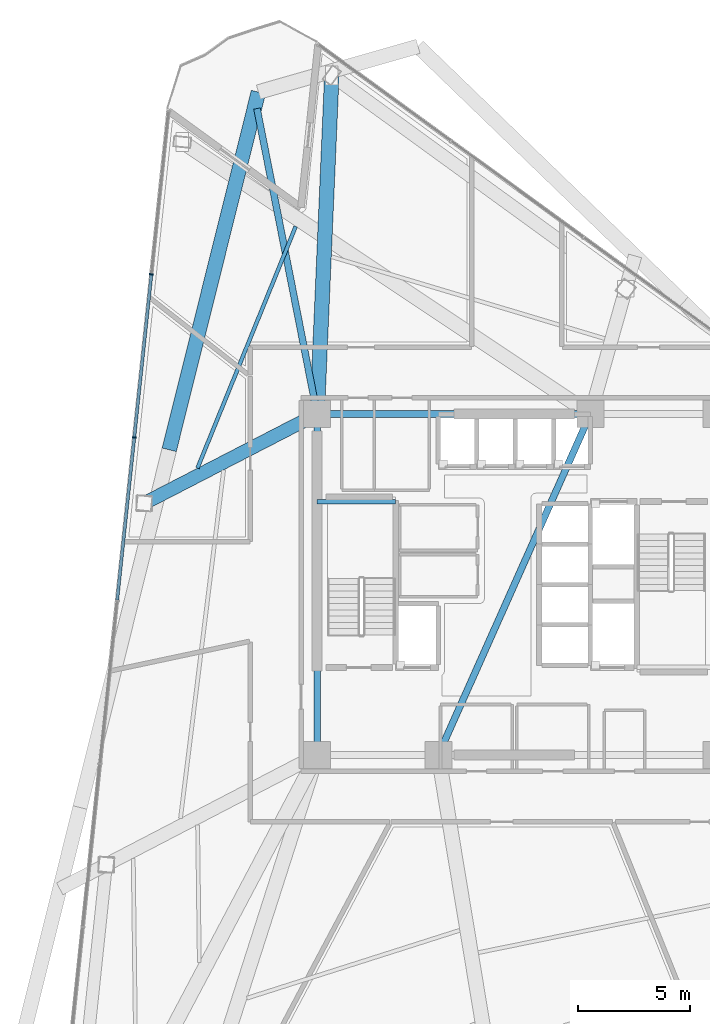
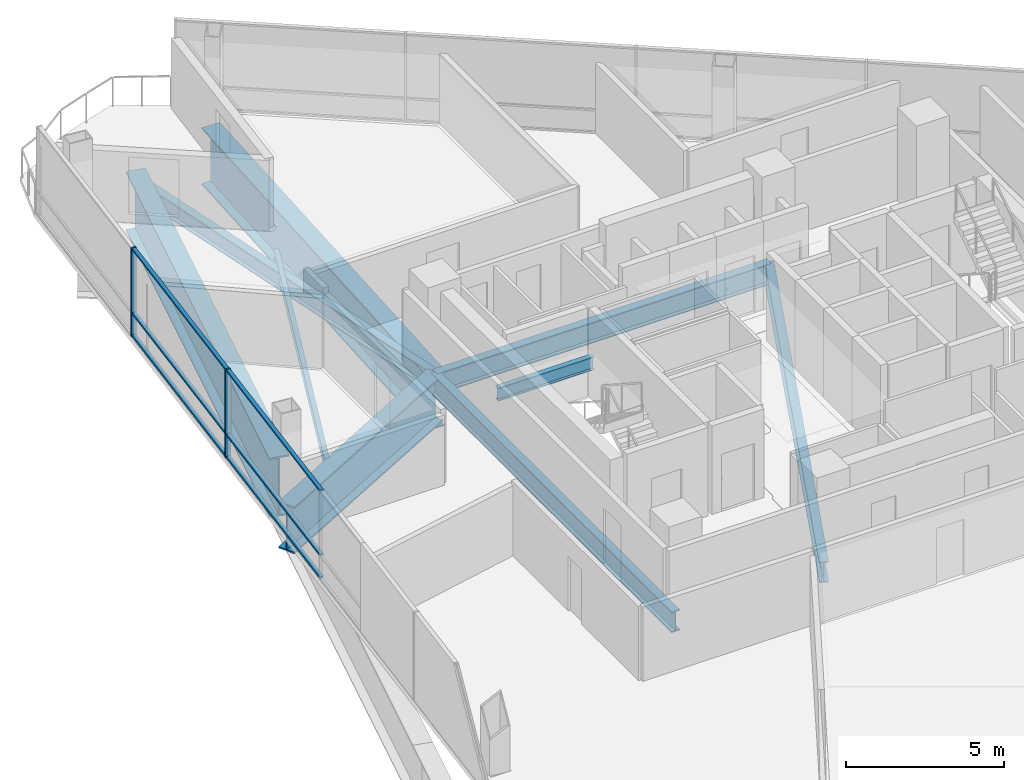
# One storey, part 7 of 17: 9 beams, 8 members, 1 element without a shape of its own.
"""IFC4 building model written with IfcOpenShell, lengths in metres."""

from ifc_helpers import new_model, si_unit, direction, frame, origin, origin_2d, place, context, subcontext, project, spatial, rectangle, i_section, extrude, material, layer, layer_set, material_profile, profile_set, type_object, element, aggregate, save


model = new_model("IFC4")

# Units and contexts
model_context = context("Model", 3, precision=1e-05, world=origin(), true_north=direction((0.0, 1.0)))
body_context = subcontext(model_context, "Body", "Model", "MODEL_VIEW")
ifc_project = project(units=[si_unit("LENGTHUNIT", "METRE"), si_unit("AREAUNIT", "SQUARE_METRE"), si_unit("VOLUMEUNIT", "CUBIC_METRE"), si_unit("PLANEANGLEUNIT", "RADIAN"), si_unit("MASSUNIT", "GRAM", prefix="KILO")], contexts=[model_context])

# Site, building, storey
site_placement = place(None, origin())
site = spatial("IfcSite", under=ifc_project, at=site_placement, CompositionType="ELEMENT")
building_placement = place(site_placement, origin())
building = spatial("IfcBuilding", under=site, at=building_placement, Name="Tharavind Bronze Gate", CompositionType="ELEMENT")
storey_placement = place(building_placement, frame((0.0, 0.0, 112.449951171875)))
storey = spatial("IfcBuildingStorey", under=building, at=storey_placement, Name="L28", CompositionType="ELEMENT", Elevation=112.449951171875)

# Curtain wall, members
ifc_material_1 = material(Name="Anodised Bronze Aluminium", Category="aluminium")
ifc_layer = layer(ifc_material_1, 0.219970703125)
ifc_layer_set = layer_set([ifc_layer], Name="Anodised Bronze Aluminium")
curtain_wall_type = type_object("IfcCurtainWallType", Name="UNITISED CURTAIN WALL LOWER OFFICE", PredefinedType="USERDEFINED", material=ifc_layer_set)
curtain_wall_placement = place(storey_placement, origin())
curtain_wall = element("IfcCurtainWall", 1, at=curtain_wall_placement, inside=storey, type_object=curtain_wall_type, Name="L28 unitised curtain wall lower office CW-L28-S1", ObjectType="UNITISED CURTAIN WALL", PredefinedType="USERDEFINED")
member_type_1 = type_object("IfcMemberType", Name="CURTAIN WALL BRONZE MULLION 65X180", PredefinedType="MULLION", material=ifc_material_1)
member_1_placement = place(storey_placement, frame((-16.2919921875, 13.828369140625, 0.0), z_axis=(0.0, 0.0, 1.0), x_axis=(-0.104526727499, -0.994522077803, 0.0)))
member_1 = element("IfcMember", 2, at=member_1_placement, type_object=member_type_1, Name="CW-L28-S1 mullion 2", PredefinedType="MULLION", context=body_context, shape_type="SweptSolid", body=[
    extrude(rectangle(XDim=0.06494140625, YDim=0.179931640625, at=origin_2d()), origin(), (0.0, 0.0, 1.0), 3.409912109375),
])
member_2_placement = place(storey_placement, frame((-17.056396484375, 6.55517578125, 0.0), z_axis=(0.0, 0.0, 1.0), x_axis=(-0.104526727499, -0.994522077803, 0.0)))
member_2 = element("IfcMember", 3, at=member_2_placement, type_object=member_type_1, Name="CW-L28-S1 mullion 3", PredefinedType="MULLION", context=body_context, shape_type="SweptSolid", body=[
    extrude(rectangle(XDim=0.06494140625, YDim=0.179931640625, at=origin_2d()), origin(), (0.0, 0.0, 1.0), 3.409912109375),
])
member_type_2 = type_object("IfcMemberType", Name="CURTAIN WALL BRONZE TRANSOM 65X140", PredefinedType="USERDEFINED", material=ifc_material_1)
member_3_placement = place(storey_placement, frame((-16.67431640625, 10.19189453125, 0.0), z_axis=(0.0, 0.0, 1.0), x_axis=(-0.104526727499, -0.994522077803, 0.0)))
member_3 = element("IfcMember", 4, at=member_3_placement, type_object=member_type_2, Name="CW-L28-S1 transom TB2", ObjectType="TRANSOM", PredefinedType="USERDEFINED", context=body_context, shape_type="SweptSolid", body=[
    extrude(rectangle(XDim=7.26025390625, YDim=0.139892578125, at=origin_2d()), origin(), (0.0, 0.0, 1.0), 0.06494140625),
])
member_4_placement = place(storey_placement, frame((-16.67431640625, 10.19189453125, 0.86767578125), z_axis=(0.0, 0.0, 1.0), x_axis=(-0.104526727499, -0.994522077803, 0.0)))
member_4 = element("IfcMember", 5, at=member_4_placement, type_object=member_type_2, Name="CW-L28-S1 transom TS2", ObjectType="TRANSOM", PredefinedType="USERDEFINED", context=body_context, shape_type="SweptSolid", body=[
    extrude(rectangle(XDim=7.26025390625, YDim=0.139892578125, at=origin_2d()), origin(), (0.0, 0.0, 1.0), 0.06494140625),
])
member_5_placement = place(storey_placement, frame((-16.67431640625, 10.19189453125, 3.344970703125), z_axis=(0.0, 0.0, 1.0), x_axis=(-0.104526727499, -0.994522077803, 0.0)))
member_5 = element("IfcMember", 6, at=member_5_placement, type_object=member_type_2, Name="CW-L28-S1 transom TT2", ObjectType="TRANSOM", PredefinedType="USERDEFINED", context=body_context, shape_type="SweptSolid", body=[
    extrude(rectangle(XDim=7.26025390625, YDim=0.139892578125, at=origin_2d()), origin(), (0.0, 0.0, 1.0), 0.06494140625),
])
member_6_placement = place(storey_placement, frame((-17.438720703125, 2.91845703125, 0.0), z_axis=(0.0, 0.0, 1.0), x_axis=(-0.104526727499, -0.994522077803, 0.0)))
member_6 = element("IfcMember", 7, at=member_6_placement, type_object=member_type_2, Name="CW-L28-S1 transom TB3", ObjectType="TRANSOM", PredefinedType="USERDEFINED", context=body_context, shape_type="SweptSolid", body=[
    extrude(rectangle(XDim=7.26025390625, YDim=0.139892578125, at=origin_2d()), origin(), (0.0, 0.0, 1.0), 0.06494140625),
])
member_7_placement = place(storey_placement, frame((-17.438720703125, 2.91845703125, 0.86767578125), z_axis=(0.0, 0.0, 1.0), x_axis=(-0.104526727499, -0.994522077803, 0.0)))
member_7 = element("IfcMember", 8, at=member_7_placement, type_object=member_type_2, Name="CW-L28-S1 transom TS3", ObjectType="TRANSOM", PredefinedType="USERDEFINED", context=body_context, shape_type="SweptSolid", body=[
    extrude(rectangle(XDim=7.26025390625, YDim=0.139892578125, at=origin_2d()), origin(), (0.0, 0.0, 1.0), 0.06494140625),
])
member_8_placement = place(storey_placement, frame((-17.438720703125, 2.91845703125, 3.344970703125), z_axis=(0.0, 0.0, 1.0), x_axis=(-0.104526727499, -0.994522077803, 0.0)))
member_8 = element("IfcMember", 9, at=member_8_placement, type_object=member_type_2, Name="CW-L28-S1 transom TT3", ObjectType="TRANSOM", PredefinedType="USERDEFINED", context=body_context, shape_type="SweptSolid", body=[
    extrude(rectangle(XDim=7.26025390625, YDim=0.139892578125, at=origin_2d()), origin(), (0.0, 0.0, 1.0), 0.06494140625),
])
aggregate(curtain_wall, [member_1, member_2, member_3, member_4, member_5, member_6, member_7, member_8])

# Beams
ifc_material_2 = material(Name="Steel S355", Category="steel")
ifc_material_profile_1 = material_profile(ifc_material_2, i_section(OverallWidth=0.300048828125, OverallDepth=0.64990234375, WebThickness=0.01611328125, FlangeThickness=0.031005859375, at=origin_2d()), Name="HE650B")
ifc_profile_set_1 = profile_set([ifc_material_profile_1], Name="Steel S355")
beam_type_1 = type_object("IfcBeamType", Name="PRIMARY GIRDER HE650B", PredefinedType="USERDEFINED", material=ifc_profile_set_1)
beam_1_placement = place(storey_placement, frame((-8.89990234375, 7.60009765625, -0.514892578125), z_axis=(-0.193337817279, 0.981132248176, 0.0), x_axis=(-0.981132248176, -0.193337817279, 0.0)))
element("IfcBeam", 10, at=beam_1_placement, inside=storey, type_object=beam_type_1, Name="L28 primary girder he650b BM-L28-BLCSB", ObjectType="GIRDER", PredefinedType="USERDEFINED", context=body_context, shape_type="SweptSolid", body=[
    extrude(i_section(OverallWidth=0.300048828125, OverallDepth=0.64990234375, WebThickness=0.01611328125, FlangeThickness=0.031005859375, at=origin_2d()), origin(), (0.0, 0.0, 1.0), 13.8779296875),
])
ifc_material_profile_2 = material_profile(ifc_material_2, i_section(OverallWidth=0.199951171875, OverallDepth=0.5, WebThickness=0.01025390625, FlangeThickness=0.01611328125, at=origin_2d()), Name="IPE500")
ifc_profile_set_2 = profile_set([ifc_material_profile_2], Name="Steel S355")
beam_type_2 = type_object("IfcBeamType", Name="PRIMARY GIRDER IPE500", PredefinedType="USERDEFINED", material=ifc_profile_set_2)
beam_2_placement = place(storey_placement, frame((-8.89990234375, 3.679931640625, 1.35009765625), z_axis=(1.0, 0.0, 0.0), x_axis=(0.0, 1.0, 0.0)))
element("IfcBeam", 11, at=beam_2_placement, inside=storey, type_object=beam_type_2, Name="L28 primary girder ipe500 BM-LD-ST1-L28-1", ObjectType="GIRDER", PredefinedType="USERDEFINED", context=body_context, shape_type="SweptSolid", body=[
    extrude(i_section(OverallWidth=0.199951171875, OverallDepth=0.5, WebThickness=0.01025390625, FlangeThickness=0.01611328125, at=origin_2d()), origin(), (0.0, 0.0, 1.0), 3.5),
])
ifc_material_profile_3 = material_profile(ifc_material_2, i_section(OverallWidth=0.300048828125, OverallDepth=0.800048828125, WebThickness=0.017578125, FlangeThickness=0.032958984375, at=origin_2d()), Name="HE800B")
ifc_profile_set_3 = profile_set([ifc_material_profile_3], Name="Steel S355")
beam_type_3 = type_object("IfcBeamType", Name="RING GIRDER HE800B", PredefinedType="USERDEFINED", material=ifc_profile_set_3)
beam_3_placement = place(storey_placement, frame((3.280029296875, 7.60009765625, -0.58984375), z_axis=(-1.0, 0.0, 0.0), x_axis=(0.0, -1.0, 0.0)))
element("IfcBeam", 12, at=beam_3_placement, inside=storey, type_object=beam_type_3, Name="L28 ring girder he800b BM-L28-CR5", ObjectType="GIRDER", PredefinedType="USERDEFINED", context=body_context, shape_type="SweptSolid", body=[
    extrude(i_section(OverallWidth=0.300048828125, OverallDepth=0.800048828125, WebThickness=0.017578125, FlangeThickness=0.032958984375, at=origin_2d()), origin(), (0.0, 0.0, 1.0), 12.179931640625),
])
beam_4_placement = place(storey_placement, frame((-8.89990234375, 7.60009765625, -0.58984375), z_axis=(0.0, -1.0, 0.0), x_axis=(1.0, 0.0, 0.0)))
element("IfcBeam", 13, at=beam_4_placement, inside=storey, type_object=beam_type_3, Name="L28 ring girder he800b BM-L28-CR6", ObjectType="GIRDER", PredefinedType="USERDEFINED", context=body_context, shape_type="SweptSolid", body=[
    extrude(i_section(OverallWidth=0.300048828125, OverallDepth=0.800048828125, WebThickness=0.017578125, FlangeThickness=0.032958984375, at=origin_2d()), origin(), (0.0, 0.0, 1.0), 15.2001953125),
])
beam_5_placement = place(storey_placement, frame((-3.5, -7.60009765625, -0.58984375), z_axis=(0.407361644566, 0.913266932795, 0.0), x_axis=(-0.913266932795, 0.407361644566, 0.0)))
element("IfcBeam", 14, at=beam_5_placement, inside=storey, type_object=beam_type_3, Name="L28 ring girder he800b BM-L28-CR7", ObjectType="GIRDER", PredefinedType="USERDEFINED", context=body_context, shape_type="SweptSolid", body=[
    extrude(i_section(OverallWidth=0.300048828125, OverallDepth=0.800048828125, WebThickness=0.017578125, FlangeThickness=0.032958984375, at=origin_2d()), origin(), (0.0, 0.0, 1.0), 16.643798828125),
])
ifc_material_profile_4 = material_profile(ifc_material_2, i_section(OverallWidth=0.169921875, OverallDepth=0.360107421875, WebThickness=0.008056640625, FlangeThickness=0.0126953125, at=origin_2d()), Name="IPE360")
ifc_profile_set_4 = profile_set([ifc_material_profile_4], Name="Steel S355")
beam_type_4 = type_object("IfcBeamType", Name="SECONDARY FLOOR JOIST IPE360", PredefinedType="JOIST", material=ifc_profile_set_4)
beam_6_placement = place(storey_placement, frame((-9.857666015625, 15.962890625, -0.369873046875), z_axis=(-0.376534103651, -0.92640275733, 0.0), x_axis=(0.92640275733, -0.376534103651, 0.0)))
element("IfcBeam", 15, at=beam_6_placement, inside=storey, type_object=beam_type_4, Name="L28 secondary floor joist ipe360 BM-L28-JSTB01", PredefinedType="JOIST", context=body_context, shape_type="SweptSolid", body=[
    extrude(i_section(OverallWidth=0.169921875, OverallDepth=0.360107421875, WebThickness=0.008056640625, FlangeThickness=0.0126953125, at=origin_2d()), origin(), (0.0, 0.0, 1.0), 11.6328125),
])
ifc_material_3 = material(Name="Steel S460", Category="steel")
ifc_material_profile_5 = material_profile(ifc_material_3, i_section(OverallWidth=0.60009765625, OverallDepth=1.800048828125, WebThickness=0.031982421875, FlangeThickness=0.054931640625, at=origin_2d()), Name="PG1800X600")
ifc_profile_set_5 = profile_set([ifc_material_profile_5], Name="Steel S460")
beam_type_5 = type_object("IfcBeamType", Name="TRANSFER GIRDER 1800X600", PredefinedType="USERDEFINED", material=ifc_profile_set_5)
beam_7_placement = place(storey_placement, frame((-8.89990234375, 7.60009765625, -1.08984375), z_axis=(-0.888676879782, -0.45853397185, 0.0), x_axis=(0.45853397185, -0.888676879782, 0.0)))
element("IfcBeam", 16, at=beam_7_placement, inside=storey, type_object=beam_type_5, Name="L28 transfer girder 1800x600 BM-L28-XFR02", ObjectType="TRANSFER GIRDER", PredefinedType="USERDEFINED", context=body_context, shape_type="SweptSolid", body=[
    extrude(i_section(OverallWidth=0.60009765625, OverallDepth=1.800048828125, WebThickness=0.031982421875, FlangeThickness=0.054931640625, at=origin_2d()), origin(), (0.0, 0.0, 1.0), 8.676513671875),
])
ifc_material_profile_6 = material_profile(ifc_material_3, i_section(OverallWidth=0.64990234375, OverallDepth=2.199951171875, WebThickness=0.035888671875, FlangeThickness=0.054931640625, at=origin_2d()), Name="PG2200X650")
ifc_profile_set_6 = profile_set([ifc_material_profile_6], Name="Steel S460")
beam_type_6 = type_object("IfcBeamType", Name="TRANSFER GIRDER 2200X650", PredefinedType="USERDEFINED", material=ifc_profile_set_6)
beam_8_placement = place(storey_placement, frame((-8.89990234375, 7.60009765625, -1.2900390625), z_axis=(0.043095989237, 0.999070936276, 0.0), x_axis=(-0.999070936276, 0.043095989237, 0.0)))
element("IfcBeam", 17, at=beam_8_placement, inside=storey, type_object=beam_type_6, Name="L28 transfer girder 2200x650 BM-L28-XFR12", ObjectType="TRANSFER GIRDER", PredefinedType="USERDEFINED", context=body_context, shape_type="SweptSolid", body=[
    extrude(i_section(OverallWidth=0.64990234375, OverallDepth=2.199951171875, WebThickness=0.035888671875, FlangeThickness=0.054931640625, at=origin_2d()), origin(), (0.0, 0.0, 1.0), 15.306884765625),
])
ifc_material_profile_7 = material_profile(ifc_material_3, i_section(OverallWidth=0.64990234375, OverallDepth=2.300048828125, WebThickness=0.035888671875, FlangeThickness=0.05810546875, at=origin_2d()), Name="PG2300X650")
ifc_profile_set_7 = profile_set([ifc_material_profile_7], Name="Steel S460")
beam_type_7 = type_object("IfcBeamType", Name="TRANSFER GIRDER 2300X650", PredefinedType="USERDEFINED", material=ifc_profile_set_7)
beam_9_placement = place(storey_placement, frame((-11.520263671875, 21.952392578125, -1.33984375), z_axis=(-0.241913375366, -0.970297850569, 0.0), x_axis=(0.970297850569, -0.241913375366, 0.0)))
element("IfcBeam", 18, at=beam_9_placement, inside=storey, type_object=beam_type_7, Name="L28 transfer girder 2300x650 BM-L28-LRG01", ObjectType="TRANSFER GIRDER", PredefinedType="USERDEFINED", context=body_context, shape_type="SweptSolid", body=[
    extrude(i_section(OverallWidth=0.64990234375, OverallDepth=2.300048828125, WebThickness=0.035888671875, FlangeThickness=0.05810546875, at=origin_2d()), origin(), (0.0, 0.0, 1.0), 16.433837890625),
])

save(model, "model.ifc")
